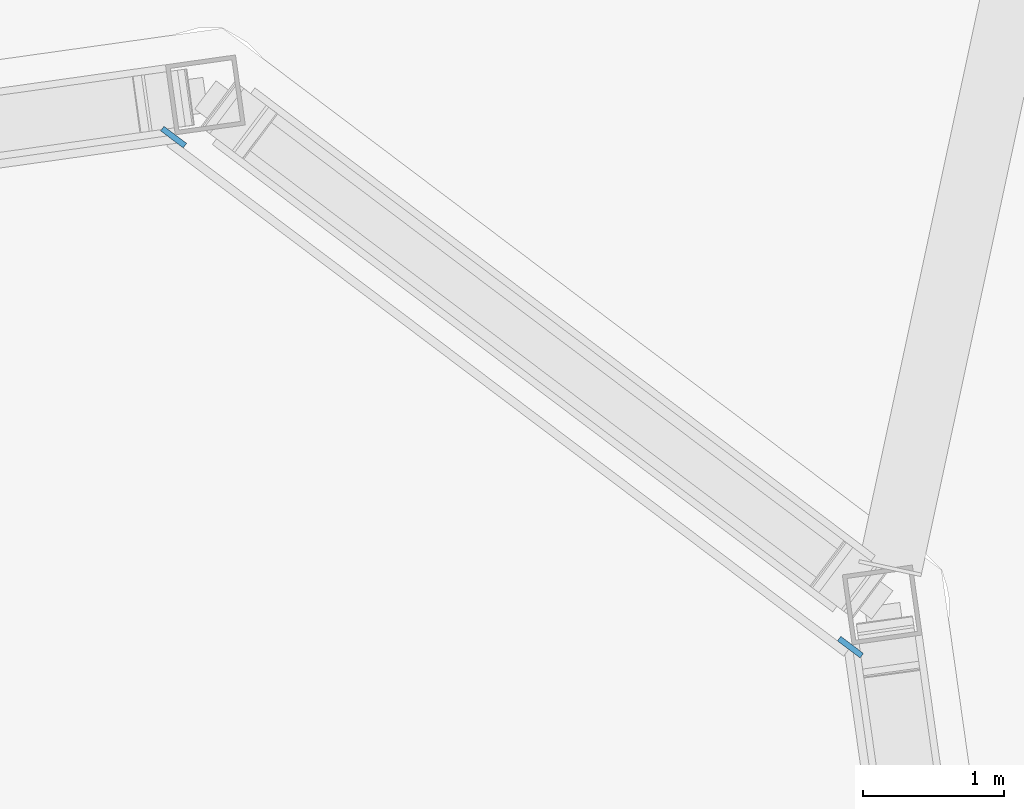
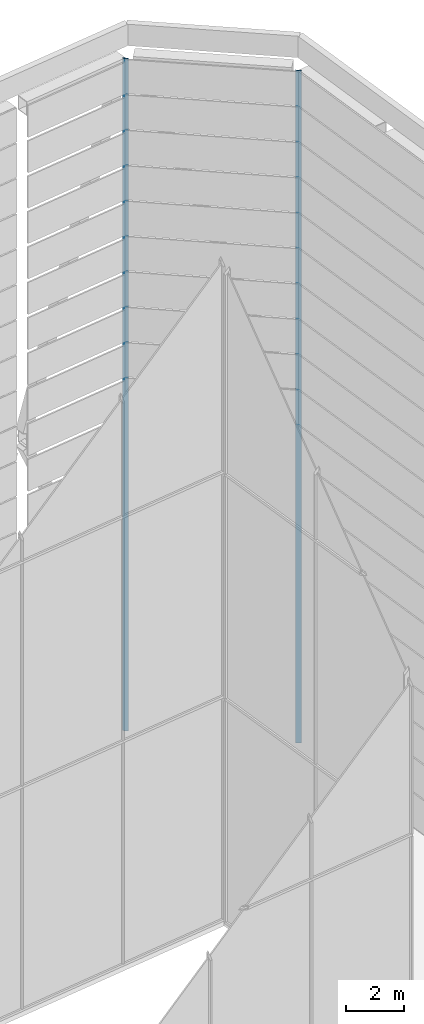
# One storey, part 29 of 45: 2 discrete accessories.
"""IFC4 building model written with IfcOpenShell, lengths in metres."""

from ifc_helpers import new_model, si_unit, direction, frame, origin, origin_2d, place, context, subcontext, project, spatial, rectangle, extrude, material, layer, layer_set, type_object, element, save


model = new_model("IFC4")

# Units and contexts
model_context = context("Model", 3, precision=1e-05, world=origin(), true_north=direction((0.0, 1.0)))
body_context = subcontext(model_context, "Body", "Model", "MODEL_VIEW")
ifc_project = project(units=[si_unit("LENGTHUNIT", "METRE"), si_unit("AREAUNIT", "SQUARE_METRE"), si_unit("VOLUMEUNIT", "CUBIC_METRE"), si_unit("PLANEANGLEUNIT", "RADIAN"), si_unit("MASSUNIT", "GRAM", prefix="KILO")], contexts=[model_context])

# Site, building, storey
site_placement = place(None, origin())
site = spatial("IfcSite", under=ifc_project, at=site_placement, CompositionType="ELEMENT")
building_placement = place(site_placement, origin())
building = spatial("IfcBuilding", under=site, at=building_placement, Name="Mirante Cascada Hotel Towers", CompositionType="ELEMENT")
storey_placement = place(building_placement, frame((0.0, 0.0, 269.8)))
storey = spatial("IfcBuildingStorey", under=building, at=storey_placement, Name="Roof garden", CompositionType="ELEMENT", Elevation=269.8)

# Discrete accessories
ifc_material = material(Name="Stainless steel AISI 316", Category="steel")
ifc_layer = layer(ifc_material, 0.04)
ifc_layer_set = layer_set([ifc_layer], Name="Support bracket 200x40")
discrete_accessory_type = type_object("IfcDiscreteAccessoryType", Name="Support bracket 200x40", PredefinedType="BRACKET", material=ifc_layer_set)
for number, where, z_axis, x_axis, name in (
    (1, (49.29, 19.1766, 0.05), (0.0, 0.0, 1.0), (0.7986355, -0.601815, 0.0), "Louvre support bracket T2"),
    (2, (54.0747, 15.571, 0.05), (0.0, 0.0, 1.0), (0.7986355, -0.601815, 0.0), "Louvre support bracket T2"),
):
    element("IfcDiscreteAccessory", number, at=place(storey_placement, frame(where, z_axis=z_axis, x_axis=x_axis)), inside=storey, type_object=discrete_accessory_type, Name=name, PredefinedType="BRACKET", context=body_context, shape_type="SweptSolid", body=[
        extrude(rectangle(XDim=0.2, YDim=0.04, at=origin_2d()), origin(), (0.0, 0.0, 1.0), 28.2),
    ])

save(model, "model.ifc")
